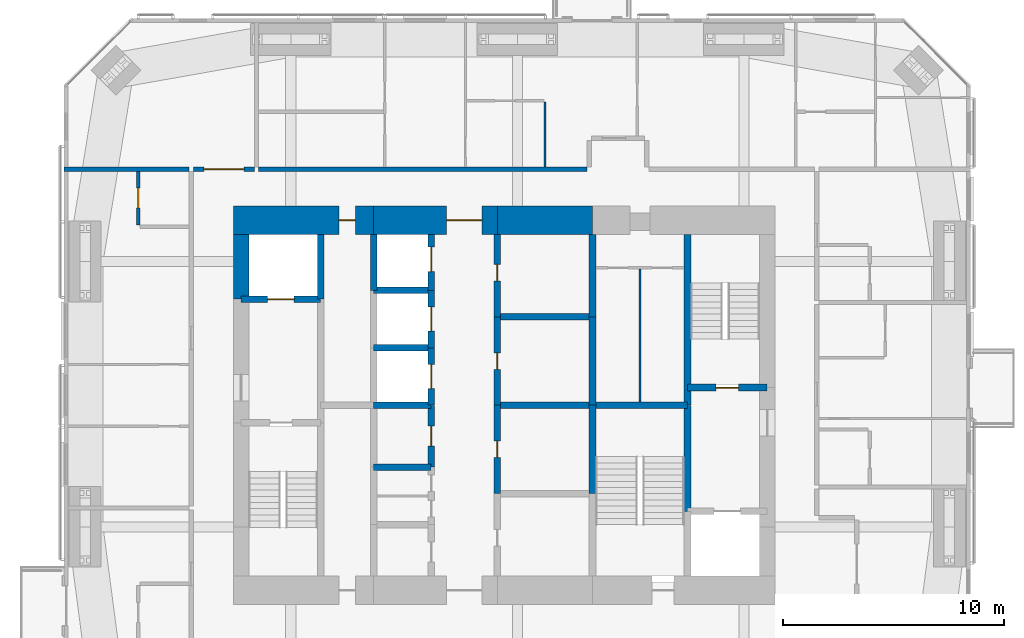
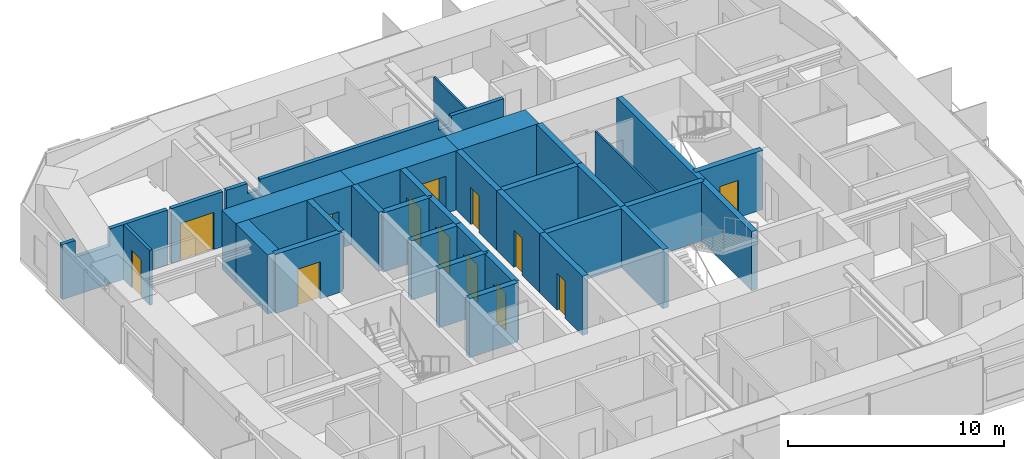
# One storey, part 19 of 23: 33 walls, 13 doors, 13 openings.
"""IFC4 building model written with IfcOpenShell, lengths in metres."""

from ifc_helpers import new_model, si_unit, direction, frame, frame_2d, origin, place, context, subcontext, project, spatial, polyline, rectangle, outline, extrude, material, layer, layer_set, constituent, constituent_set, type_object, element, fill, save


model = new_model("IFC4")

# Units and contexts
model_context = context("Model", 3, precision=1e-05, world=origin(), true_north=direction((0.0, 1.0)))
body_context = subcontext(model_context, "Body", "Model", "MODEL_VIEW")
ifc_project = project(units=[si_unit("LENGTHUNIT", "METRE"), si_unit("AREAUNIT", "SQUARE_METRE"), si_unit("VOLUMEUNIT", "CUBIC_METRE"), si_unit("PLANEANGLEUNIT", "RADIAN"), si_unit("MASSUNIT", "GRAM", prefix="KILO")], contexts=[model_context])

# Site, building, storey
site_placement = place(None, origin())
site = spatial("IfcSite", under=ifc_project, at=site_placement, CompositionType="ELEMENT")
building_placement = place(site_placement, origin())
building = spatial("IfcBuilding", under=site, at=building_placement, Name="Jalousie Tower", CompositionType="ELEMENT")
storey_placement = place(building_placement, frame((0.0, 0.0, 181.14990234375)))
storey = spatial("IfcBuildingStorey", under=building, at=storey_placement, Name="L49", CompositionType="ELEMENT", Elevation=181.14990234375)

# Wall, opening, door
ifc_material_1 = material(Name="Concrete block ASTM C90", Category="concrete")
ifc_constituent_1 = constituent(ifc_material_1, Name="Body")
ifc_material_2 = material(Name="Render")
ifc_constituent_2 = constituent(ifc_material_2, Name="Finish")
ifc_constituent_set_1 = constituent_set(constituents=[ifc_constituent_1, ifc_constituent_2])
wall_type_1 = type_object("IfcWallType", Name="BATHROOM WALL 150", PredefinedType="PLUMBINGWALL", material=ifc_constituent_set_1)
wall_1_placement = place(storey_placement, frame((15.35009765625, 26.64990234375, 0.0), z_axis=(0.0, 0.0, 1.0), x_axis=(0.0, 1.0, 0.0)))
wall_1 = element("IfcWall", 1, at=wall_1_placement, inside=storey, type_object=wall_type_1, Name="Bathroom Wall 150 L49", PredefinedType="PLUMBINGWALL", context=body_context, shape_type="SweptSolid", body=[
    extrude(rectangle(XDim=2.425048828125, YDim=0.14990234375, at=frame_2d((1.21240234375, 0.0))), origin(), (0.0, 0.0, 1.0), 3.110107421875),
])
opening_1_placement = place(wall_1_placement, frame((0.77490234375, 0.0, 0.0)))
opening_1 = element("IfcOpeningElement", 2, at=opening_1_placement, cuts=wall_1, Name="Opening D3", PredefinedType="OPENING", context=body_context, shape_type="SweptSolid", body=[
    extrude(rectangle(XDim=0.89990234375, YDim=2.10009765625, at=frame_2d((0.449951171875, 1.050048828125))), frame((0.0, 0.0849609375, 0.0), z_axis=(0.0, -1.0, 0.0), x_axis=(1.0, 0.0, 0.0)), (0.0, 0.0, 1.0), 0.169921875),
])
ifc_material_3 = material(Name="Timber door", Category="wood")
door_type_1 = type_object("IfcDoorType", Name="BATHROOM DOOR 900", OperationType="SINGLE_SWING_LEFT", PredefinedType="DOOR", material=ifc_material_3)
door_1_placement = place(opening_1_placement, frame((0.89990234375, 0.0, 0.0), z_axis=(0.0, 0.0, 1.0), x_axis=(-1.0, 0.0, 0.0)))
door_1 = element("IfcDoor", 3, at=door_1_placement, inside=storey, type_object=door_type_1, Name="Apartment 4906 bathroom door", OperationType="SINGLE_SWING_LEFT", OverallHeight=2.10009765625, OverallWidth=0.89990234375, PredefinedType="DOOR", context=body_context, shape_type="SweptSolid", body=[
    extrude(rectangle(XDim=0.89990234375, YDim=2.10009765625, at=frame_2d((0.449951171875, 1.050048828125))), frame((0.0, 0.02490234375, 0.0), z_axis=(0.0, -1.0, 0.0), x_axis=(1.0, 0.0, 0.0)), (0.0, 0.0, 1.0), 0.050048828125),
])
fill(opening_1, door_1)

# Wall
ifc_material_4 = material(Name="Concrete f'c 120 MPa", Category="concrete")
ifc_layer_1 = layer(ifc_material_4, 1.300048828125)
ifc_layer_set_1 = layer_set([ifc_layer_1], Name="Concrete f'c 120 MPa")
wall_type_2 = type_object("IfcWallType", Name="CORE WALL 1300", PredefinedType="SHEAR", material=ifc_layer_set_1)
wall_2_placement = place(storey_placement, frame((35.89990234375, 26.875, 0.0), z_axis=(0.0, 0.0, 1.0), x_axis=(-1.0, 0.0, 0.0)))
element("IfcWall", 4, at=wall_2_placement, inside=storey, type_object=wall_type_2, Name="Core wall NB L49", PredefinedType="SHEAR", context=body_context, shape_type="SweptSolid", body=[
    extrude(rectangle(XDim=4.2998046875, YDim=1.300048828125, at=frame_2d((2.14990234375, 0.0))), origin(), (0.0, 0.0, 1.0), 3.35009765625),
])

# Wall, opening, door
wall_3_placement = place(storey_placement, frame((31.60009765625, 26.875, 0.0), z_axis=(0.0, 0.0, 1.0), x_axis=(-1.0, 0.0, 0.0)))
wall_3 = element("IfcWall", 5, at=wall_3_placement, inside=storey, type_object=wall_type_2, Name="Core wall NC L49", PredefinedType="SHEAR", context=body_context, shape_type="SweptSolid", body=[
    extrude(rectangle(XDim=5.60009765625, YDim=1.300048828125, at=frame_2d((2.800048828125, 0.0))), origin(), (0.0, 0.0, 1.0), 3.35009765625),
])
opening_2_placement = place(wall_3_placement, frame((0.699951171875, 0.0, 0.0)))
opening_2 = element("IfcOpeningElement", 6, at=opening_2_placement, cuts=wall_3, Name="Opening D15", PredefinedType="OPENING", context=body_context, shape_type="SweptSolid", body=[
    extrude(rectangle(XDim=1.60009765625, YDim=2.10009765625, at=frame_2d((0.800048828125, 1.050048828125))), frame((0.0, 0.659912109375, 0.0), z_axis=(0.0, -1.0, 0.0), x_axis=(1.0, 0.0, 0.0)), (0.0, 0.0, 1.0), 1.320068359375),
])
ifc_material_5 = material(Name="Steel fire door", Category="steel")
door_type_2 = type_object("IfcDoorType", Name="LIFT LOBBY DOOR 1600", OperationType="DOUBLE_DOOR_SINGLE_SWING", PredefinedType="DOOR", material=ifc_material_5)
door_2_placement = place(opening_2_placement, origin())
door_2 = element("IfcDoor", 7, at=door_2_placement, inside=storey, type_object=door_type_2, Name="Lift lobby north door", OperationType="DOUBLE_DOOR_SINGLE_SWING", OverallHeight=2.10009765625, OverallWidth=1.60009765625, PredefinedType="DOOR", context=body_context, shape_type="SweptSolid", body=[
    extrude(rectangle(XDim=1.60009765625, YDim=2.10009765625, at=frame_2d((0.800048828125, 1.050048828125))), frame((0.0, 0.02490234375, 0.0), z_axis=(0.0, -1.0, 0.0), x_axis=(1.0, 0.0, 0.0)), (0.0, 0.0, 1.0), 0.050048828125),
])
fill(opening_2, door_2)

wall_4_placement = place(storey_placement, frame((26.0, 26.875, 0.0), z_axis=(0.0, 0.0, 1.0), x_axis=(-1.0, 0.0, 0.0)))
wall_4 = element("IfcWall", 8, at=wall_4_placement, inside=storey, type_object=wall_type_2, Name="Core wall ND L49", PredefinedType="SHEAR", context=body_context, shape_type="SweptSolid", body=[
    extrude(rectangle(XDim=6.35009765625, YDim=1.300048828125, at=frame_2d((3.175048828125, 0.0))), origin(), (0.0, 0.0, 1.0), 3.35009765625),
])
opening_3_placement = place(wall_4_placement, frame((0.824951171875, 0.0, 0.0)))
opening_3 = element("IfcOpeningElement", 9, at=opening_3_placement, cuts=wall_4, Name="Opening D16", PredefinedType="OPENING", context=body_context, shape_type="SweptSolid", body=[
    extrude(rectangle(XDim=0.75, YDim=2.10009765625, at=frame_2d((0.375, 1.050048828125))), frame((0.0, 0.659912109375, 0.0), z_axis=(0.0, -1.0, 0.0), x_axis=(1.0, 0.0, 0.0)), (0.0, 0.0, 1.0), 1.320068359375),
])
ifc_material_6 = material(Name="Steel fire door", Category="steel")
door_type_3 = type_object("IfcDoorType", Name="RISER DOOR 750", OperationType="SINGLE_SWING_LEFT", PredefinedType="DOOR", material=ifc_material_6)
door_3_placement = place(opening_3_placement, origin())
door_3 = element("IfcDoor", 10, at=door_3_placement, inside=storey, type_object=door_type_3, Name="North riser door", OperationType="SINGLE_SWING_RIGHT", OverallHeight=2.10009765625, OverallWidth=0.75, PredefinedType="DOOR", context=body_context, shape_type="SweptSolid", body=[
    extrude(rectangle(XDim=0.75, YDim=2.10009765625, at=frame_2d((0.375, 1.050048828125))), frame((0.0, 0.02490234375, 0.0), z_axis=(0.0, -1.0, 0.0), x_axis=(1.0, 0.0, 0.0)), (0.0, 0.0, 1.0), 0.050048828125),
])
fill(opening_3, door_3)

# Walls
ifc_material_7 = material(Name="Concrete f'c 120 MPa", Category="concrete")
ifc_layer_2 = layer(ifc_material_7, 0.300048828125)
ifc_layer_set_2 = layer_set([ifc_layer_2], Name="Concrete f'c 120 MPa")
wall_type_3 = type_object("IfcWallType", Name="CORE WALL 300", PredefinedType="SHEAR", material=ifc_layer_set_2)
wall_5_placement = place(storey_placement, frame((23.60009765625, 23.300048828125, 0.0), z_axis=(0.0, 0.0, 1.0), x_axis=(0.0, 1.0, 0.0)))
element("IfcWall", 11, at=wall_5_placement, inside=storey, type_object=wall_type_3, Name="Core wall X23.6C L49", PredefinedType="SHEAR", context=body_context, shape_type="SweptSolid", body=[
    extrude(rectangle(XDim=2.925048828125, YDim=0.300048828125, at=frame_2d((1.46240234375, 0.0))), origin(), (0.0, 0.0, 1.0), 3.35009765625),
])
wall_6_placement = place(storey_placement, frame((26.0, 23.699951171875, 0.0), z_axis=(0.0, 0.0, 1.0), x_axis=(0.0, 1.0, 0.0)))
element("IfcWall", 12, at=wall_6_placement, inside=storey, type_object=wall_type_3, Name="Core wall X26F L49", PredefinedType="SHEAR", context=body_context, shape_type="SweptSolid", body=[
    extrude(rectangle(XDim=2.525146484375, YDim=0.300048828125, at=frame_2d((1.2626953125, 0.0))), origin(), (0.0, 0.0, 1.0), 3.35009765625),
])

# Wall, opening, door
wall_7_placement = place(storey_placement, frame((28.60009765625, 15.699951171875, 0.0), z_axis=(0.0, 0.0, 1.0), x_axis=(0.0, 1.0, 0.0)))
wall_7 = element("IfcWall", 13, at=wall_7_placement, inside=storey, type_object=wall_type_3, Name="Core wall X28.6C L49", PredefinedType="SHEAR", context=body_context, shape_type="SweptSolid", body=[
    extrude(rectangle(XDim=2.800048828125, YDim=0.300048828125, at=frame_2d((1.39990234375, 0.0))), origin(), (0.0, 0.0, 1.0), 3.35009765625),
])
opening_4_placement = place(wall_7_placement, frame((0.949951171875, 0.0, 0.0)))
opening_4 = element("IfcOpeningElement", 14, at=opening_4_placement, cuts=wall_7, Name="Opening D24", PredefinedType="OPENING", context=body_context, shape_type="SweptSolid", body=[
    extrude(rectangle(XDim=0.89990234375, YDim=2.10009765625, at=frame_2d((0.449951171875, 1.050048828125))), frame((0.0, 0.159912109375, 0.0), z_axis=(0.0, -1.0, 0.0), x_axis=(1.0, 0.0, 0.0)), (0.0, 0.0, 1.0), 0.320068359375),
])
ifc_material_8 = material(Name="Steel fire door", Category="steel")
door_type_4 = type_object("IfcDoorType", Name="CORE ROOM DOOR 900", OperationType="SINGLE_SWING_LEFT", PredefinedType="DOOR", material=ifc_material_8)
door_4_placement = place(opening_4_placement, origin())
door_4 = element("IfcDoor", 15, at=door_4_placement, inside=storey, type_object=door_type_4, Name="Pantry door", OperationType="SINGLE_SWING_LEFT", OverallHeight=2.10009765625, OverallWidth=0.89990234375, PredefinedType="DOOR", context=body_context, shape_type="SweptSolid", body=[
    extrude(rectangle(XDim=0.89990234375, YDim=2.10009765625, at=frame_2d((0.449951171875, 1.050048828125))), frame((0.0, 0.02490234375, 0.0), z_axis=(0.0, -1.0, 0.0), x_axis=(1.0, 0.0, 0.0)), (0.0, 0.0, 1.0), 0.050048828125),
])
fill(opening_4, door_4)

wall_8_placement = place(storey_placement, frame((28.60009765625, 18.5, 0.0), z_axis=(0.0, 0.0, 1.0), x_axis=(0.0, 1.0, 0.0)))
wall_8 = element("IfcWall", 16, at=wall_8_placement, inside=storey, type_object=wall_type_3, Name="Core wall X28.6D L49", PredefinedType="SHEAR", context=body_context, shape_type="SweptSolid", body=[
    extrude(rectangle(XDim=2.60009765625, YDim=0.300048828125, at=frame_2d((1.300048828125, 0.0))), origin(), (0.0, 0.0, 1.0), 3.35009765625),
])
opening_5_placement = place(wall_8_placement, frame((0.75, 0.0, 0.0)))
opening_5 = element("IfcOpeningElement", 17, at=opening_5_placement, cuts=wall_8, Name="Opening LD1", PredefinedType="OPENING", context=body_context, shape_type="SweptSolid", body=[
    extrude(rectangle(XDim=1.10009765625, YDim=2.10009765625, at=frame_2d((0.550048828125, 1.050048828125))), frame((0.0, 0.159912109375, 0.0), z_axis=(0.0, -1.0, 0.0), x_axis=(1.0, 0.0, 0.0)), (0.0, 0.0, 1.0), 0.320068359375),
])
ifc_material_9 = material(Name="Steel lift landing door", Category="steel")
door_type_5 = type_object("IfcDoorType", Name="LIFT LANDING DOOR 1100", OperationType="SLIDING_TO_LEFT", PredefinedType="DOOR", material=ifc_material_9)
door_5_placement = place(opening_5_placement, origin())
door_5 = element("IfcDoor", 18, at=door_5_placement, inside=storey, type_object=door_type_5, Name="Lift P4 landing door", OperationType="SLIDING_TO_LEFT", OverallHeight=2.10009765625, OverallWidth=1.10009765625, PredefinedType="DOOR", context=body_context, shape_type="SweptSolid", body=[
    extrude(rectangle(XDim=1.10009765625, YDim=2.10009765625, at=frame_2d((0.550048828125, 1.050048828125))), frame((0.0, 0.02490234375, 0.0), z_axis=(0.0, -1.0, 0.0), x_axis=(1.0, 0.0, 0.0)), (0.0, 0.0, 1.0), 0.050048828125),
])
fill(opening_5, door_5)

wall_9_placement = place(storey_placement, frame((28.60009765625, 21.10009765625, 0.0), z_axis=(0.0, 0.0, 1.0), x_axis=(0.0, 1.0, 0.0)))
wall_9 = element("IfcWall", 19, at=wall_9_placement, inside=storey, type_object=wall_type_3, Name="Core wall X28.6E L49", PredefinedType="SHEAR", context=body_context, shape_type="SweptSolid", body=[
    extrude(rectangle(XDim=2.599853515625, YDim=0.300048828125, at=frame_2d((1.2998046875, 0.0))), origin(), (0.0, 0.0, 1.0), 3.35009765625),
])
opening_6_placement = place(wall_9_placement, frame((0.75, 0.0, 0.0)))
opening_6 = element("IfcOpeningElement", 20, at=opening_6_placement, cuts=wall_9, Name="Opening LD1", PredefinedType="OPENING", context=body_context, shape_type="SweptSolid", body=[
    extrude(rectangle(XDim=1.10009765625, YDim=2.10009765625, at=frame_2d((0.550048828125, 1.050048828125))), frame((0.0, 0.159912109375, 0.0), z_axis=(0.0, -1.0, 0.0), x_axis=(1.0, 0.0, 0.0)), (0.0, 0.0, 1.0), 0.320068359375),
])
door_6_placement = place(opening_6_placement, origin())
door_6 = element("IfcDoor", 21, at=door_6_placement, inside=storey, type_object=door_type_5, Name="Lift P5 landing door", OperationType="SLIDING_TO_LEFT", OverallHeight=2.10009765625, OverallWidth=1.10009765625, PredefinedType="DOOR", context=body_context, shape_type="SweptSolid", body=[
    extrude(rectangle(XDim=1.10009765625, YDim=2.10009765625, at=frame_2d((0.550048828125, 1.050048828125))), frame((0.0, 0.02490234375, 0.0), z_axis=(0.0, -1.0, 0.0), x_axis=(1.0, 0.0, 0.0)), (0.0, 0.0, 1.0), 0.050048828125),
])
fill(opening_6, door_6)

wall_10_placement = place(storey_placement, frame((28.60009765625, 23.699951171875, 0.0), z_axis=(0.0, 0.0, 1.0), x_axis=(0.0, 1.0, 0.0)))
wall_10 = element("IfcWall", 22, at=wall_10_placement, inside=storey, type_object=wall_type_3, Name="Core wall X28.6F L49", PredefinedType="SHEAR", context=body_context, shape_type="SweptSolid", body=[
    extrude(rectangle(XDim=2.525146484375, YDim=0.300048828125, at=frame_2d((1.2626953125, 0.0))), origin(), (0.0, 0.0, 1.0), 3.35009765625),
])
opening_7_placement = place(wall_10_placement, frame((0.85009765625, 0.0, 0.0)))
opening_7 = element("IfcOpeningElement", 23, at=opening_7_placement, cuts=wall_10, Name="Opening LD1", PredefinedType="OPENING", context=body_context, shape_type="SweptSolid", body=[
    extrude(rectangle(XDim=1.10009765625, YDim=2.10009765625, at=frame_2d((0.550048828125, 1.050048828125))), frame((0.0, 0.159912109375, 0.0), z_axis=(0.0, -1.0, 0.0), x_axis=(1.0, 0.0, 0.0)), (0.0, 0.0, 1.0), 0.320068359375),
])
door_7_placement = place(opening_7_placement, origin())
door_7 = element("IfcDoor", 24, at=door_7_placement, inside=storey, type_object=door_type_5, Name="Lift P6 landing door", OperationType="SLIDING_TO_LEFT", OverallHeight=2.10009765625, OverallWidth=1.10009765625, PredefinedType="DOOR", context=body_context, shape_type="SweptSolid", body=[
    extrude(rectangle(XDim=1.10009765625, YDim=2.10009765625, at=frame_2d((0.550048828125, 1.050048828125))), frame((0.0, 0.02490234375, 0.0), z_axis=(0.0, -1.0, 0.0), x_axis=(1.0, 0.0, 0.0)), (0.0, 0.0, 1.0), 0.050048828125),
])
fill(opening_7, door_7)

wall_11_placement = place(storey_placement, frame((31.60009765625, 14.5, 0.0), z_axis=(0.0, 0.0, 1.0), x_axis=(0.0, 1.0, 0.0)))
wall_11 = element("IfcWall", 25, at=wall_11_placement, inside=storey, type_object=wall_type_3, Name="Core wall X31.6B L49", PredefinedType="SHEAR", context=body_context, shape_type="SweptSolid", body=[
    extrude(rectangle(XDim=4.0, YDim=0.300048828125, at=frame_2d((2.0, 0.0))), origin(), (0.0, 0.0, 1.0), 3.35009765625),
])
opening_8_placement = place(wall_11_placement, frame((1.625, 0.0, 0.0)))
opening_8 = element("IfcOpeningElement", 26, at=opening_8_placement, cuts=wall_11, Name="Opening D16", PredefinedType="OPENING", context=body_context, shape_type="SweptSolid", body=[
    extrude(rectangle(XDim=0.75, YDim=2.10009765625, at=frame_2d((0.375, 1.050048828125))), frame((0.0, 0.159912109375, 0.0), z_axis=(0.0, -1.0, 0.0), x_axis=(1.0, 0.0, 0.0)), (0.0, 0.0, 1.0), 0.320068359375),
])
door_8_placement = place(opening_8_placement, frame((0.75, 0.0, 0.0), z_axis=(0.0, 0.0, 1.0), x_axis=(-1.0, 0.0, 0.0)))
door_8 = element("IfcDoor", 27, at=door_8_placement, inside=storey, type_object=door_type_3, Name="Electrical Room door", OperationType="SINGLE_SWING_RIGHT", OverallHeight=2.10009765625, OverallWidth=0.75, PredefinedType="DOOR", context=body_context, shape_type="SweptSolid", body=[
    extrude(rectangle(XDim=0.75, YDim=2.10009765625, at=frame_2d((0.375, 1.050048828125))), frame((0.0, 0.02490234375, 0.0), z_axis=(0.0, -1.0, 0.0), x_axis=(1.0, 0.0, 0.0)), (0.0, 0.0, 1.0), 0.050048828125),
])
fill(opening_8, door_8)

wall_12_placement = place(storey_placement, frame((31.60009765625, 18.5, 0.0), z_axis=(0.0, 0.0, 1.0), x_axis=(0.0, 1.0, 0.0)))
wall_12 = element("IfcWall", 28, at=wall_12_placement, inside=storey, type_object=wall_type_3, Name="Core wall X31.6C L49", PredefinedType="SHEAR", context=body_context, shape_type="SweptSolid", body=[
    extrude(rectangle(XDim=4.0, YDim=0.300048828125, at=frame_2d((2.0, 0.0))), origin(), (0.0, 0.0, 1.0), 3.35009765625),
])
opening_9_placement = place(wall_12_placement, frame((1.625, 0.0, 0.0)))
opening_9 = element("IfcOpeningElement", 29, at=opening_9_placement, cuts=wall_12, Name="Opening D16", PredefinedType="OPENING", context=body_context, shape_type="SweptSolid", body=[
    extrude(rectangle(XDim=0.75, YDim=2.10009765625, at=frame_2d((0.375, 1.050048828125))), frame((0.0, 0.159912109375, 0.0), z_axis=(0.0, -1.0, 0.0), x_axis=(1.0, 0.0, 0.0)), (0.0, 0.0, 1.0), 0.320068359375),
])
door_9_placement = place(opening_9_placement, frame((0.75, 0.0, 0.0), z_axis=(0.0, 0.0, 1.0), x_axis=(-1.0, 0.0, 0.0)))
door_9 = element("IfcDoor", 30, at=door_9_placement, inside=storey, type_object=door_type_3, Name="Telecom Room door", OperationType="SINGLE_SWING_RIGHT", OverallHeight=2.10009765625, OverallWidth=0.75, PredefinedType="DOOR", context=body_context, shape_type="SweptSolid", body=[
    extrude(rectangle(XDim=0.75, YDim=2.10009765625, at=frame_2d((0.375, 1.050048828125))), frame((0.0, 0.02490234375, 0.0), z_axis=(0.0, -1.0, 0.0), x_axis=(1.0, 0.0, 0.0)), (0.0, 0.0, 1.0), 0.050048828125),
])
fill(opening_9, door_9)

wall_13_placement = place(storey_placement, frame((31.60009765625, 22.5, 0.0), z_axis=(0.0, 0.0, 1.0), x_axis=(0.0, 1.0, 0.0)))
wall_13 = element("IfcWall", 31, at=wall_13_placement, inside=storey, type_object=wall_type_3, Name="Core wall X31.6D L49", PredefinedType="SHEAR", context=body_context, shape_type="SweptSolid", body=[
    extrude(rectangle(XDim=3.72509765625, YDim=0.300048828125, at=frame_2d((1.862548828125, 0.0))), origin(), (0.0, 0.0, 1.0), 3.35009765625),
])
opening_10_placement = place(wall_13_placement, frame((1.625, 0.0, 0.0)))
opening_10 = element("IfcOpeningElement", 32, at=opening_10_placement, cuts=wall_13, Name="Opening D16", PredefinedType="OPENING", context=body_context, shape_type="SweptSolid", body=[
    extrude(rectangle(XDim=0.75, YDim=2.10009765625, at=frame_2d((0.375, 1.050048828125))), frame((0.0, 0.159912109375, 0.0), z_axis=(0.0, -1.0, 0.0), x_axis=(1.0, 0.0, 0.0)), (0.0, 0.0, 1.0), 0.320068359375),
])
door_10_placement = place(opening_10_placement, frame((0.75, 0.0, 0.0), z_axis=(0.0, 0.0, 1.0), x_axis=(-1.0, 0.0, 0.0)))
door_10 = element("IfcDoor", 33, at=door_10_placement, inside=storey, type_object=door_type_3, Name="Water Services Room door", OperationType="SINGLE_SWING_LEFT", OverallHeight=2.10009765625, OverallWidth=0.75, PredefinedType="DOOR", context=body_context, shape_type="SweptSolid", body=[
    extrude(rectangle(XDim=0.75, YDim=2.10009765625, at=frame_2d((0.375, 1.050048828125))), frame((0.0, 0.02490234375, 0.0), z_axis=(0.0, -1.0, 0.0), x_axis=(1.0, 0.0, 0.0)), (0.0, 0.0, 1.0), 0.050048828125),
])
fill(opening_10, door_10)

# Walls
for number, where, z_axis, x_axis, name in (
    (34, (35.89990234375, 14.5, 0.0), (0.0, 0.0, 1.0), (0.0, 1.0, 0.0), "Core wall X35.9B L49"),
    (35, (35.89990234375, 18.5, 0.0), (0.0, 0.0, 1.0), (0.0, 1.0, 0.0), "Core wall X35.9C L49"),
):
    element("IfcWall", number, at=place(storey_placement, frame(where, z_axis=z_axis, x_axis=x_axis)), inside=storey, type_object=wall_type_3, Name=name, PredefinedType="SHEAR", context=body_context, shape_type="SweptSolid", body=[
        extrude(rectangle(XDim=4.0, YDim=0.300048828125, at=frame_2d((2.0, 0.0))), origin(), (0.0, 0.0, 1.0), 3.35009765625),
    ])
wall_14_placement = place(storey_placement, frame((35.89990234375, 22.5, 0.0), z_axis=(0.0, 0.0, 1.0), x_axis=(0.0, 1.0, 0.0)))
element("IfcWall", 36, at=wall_14_placement, inside=storey, type_object=wall_type_3, Name="Core wall X35.9D L49", PredefinedType="SHEAR", context=body_context, shape_type="SweptSolid", body=[
    extrude(rectangle(XDim=3.72509765625, YDim=0.300048828125, at=frame_2d((1.862548828125, 0.0))), origin(), (0.0, 0.0, 1.0), 3.35009765625),
])
wall_15_placement = place(storey_placement, frame((40.199951171875, 13.699951171875, 0.0), z_axis=(0.0, 0.0, 1.0), x_axis=(0.0, 1.0, 0.0)))
element("IfcWall", 37, at=wall_15_placement, inside=storey, type_object=wall_type_3, Name="Core wall X40.2B L49", PredefinedType="SHEAR", context=body_context, shape_type="SweptSolid", body=[
    extrude(rectangle(XDim=4.800048828125, YDim=0.300048828125, at=frame_2d((2.39990234375, 0.0))), origin(), (0.0, 0.0, 1.0), 3.35009765625),
])
wall_16_placement = place(storey_placement, frame((40.199951171875, 18.5, 0.0), z_axis=(0.0, 0.0, 1.0), x_axis=(0.0, 1.0, 0.0)))
element("IfcWall", 38, at=wall_16_placement, inside=storey, type_object=wall_type_3, Name="Core wall X40.2C L49", PredefinedType="SHEAR", context=body_context, shape_type="SweptSolid", body=[
    extrude(rectangle(XDim=7.72509765625, YDim=0.300048828125, at=frame_2d((3.862548828125, 0.0))), origin(), (0.0, 0.0, 1.0), 3.35009765625),
])

# Wall, opening, door
wall_17_placement = place(storey_placement, frame((20.0, 23.300048828125, 0.0), z_axis=(0.0, 0.0, 1.0), x_axis=(1.0, 0.0, 0.0)))
wall_17 = element("IfcWall", 39, at=wall_17_placement, inside=storey, type_object=wall_type_3, Name="Core wall Y20-23.3 L49", PredefinedType="SHEAR", context=body_context, shape_type="SweptSolid", body=[
    extrude(rectangle(XDim=3.60009765625, YDim=0.300048828125, at=frame_2d((1.800048828125, 0.0))), origin(), (0.0, 0.0, 1.0), 3.35009765625),
])
opening_11_placement = place(wall_17_placement, frame((1.199951171875, 0.0, 0.0)))
opening_11 = element("IfcOpeningElement", 40, at=opening_11_placement, cuts=wall_17, Name="Opening LD2", PredefinedType="OPENING", context=body_context, shape_type="SweptSolid", body=[
    extrude(rectangle(XDim=1.199951171875, YDim=2.10009765625, at=frame_2d((0.60009765625, 1.050048828125))), frame((0.0, 0.159912109375, 0.0), z_axis=(0.0, -1.0, 0.0), x_axis=(1.0, 0.0, 0.0)), (0.0, 0.0, 1.0), 0.320068359375),
])
ifc_material_10 = material(Name="Steel lift landing door", Category="steel")
door_type_6 = type_object("IfcDoorType", Name="LIFT LANDING DOOR 1200", OperationType="SLIDING_TO_LEFT", PredefinedType="DOOR", material=ifc_material_10)
door_11_placement = place(opening_11_placement, origin())
door_11 = element("IfcDoor", 41, at=door_11_placement, inside=storey, type_object=door_type_6, Name="Lift F1 landing door", OperationType="SLIDING_TO_LEFT", OverallHeight=2.10009765625, OverallWidth=1.199951171875, PredefinedType="DOOR", context=body_context, shape_type="SweptSolid", body=[
    extrude(rectangle(XDim=1.199951171875, YDim=2.10009765625, at=frame_2d((0.60009765625, 1.050048828125))), frame((0.0, 0.02490234375, 0.0), z_axis=(0.0, -1.0, 0.0), x_axis=(1.0, 0.0, 0.0)), (0.0, 0.0, 1.0), 0.050048828125),
])
fill(opening_11, door_11)

# Walls
for number, where, z_axis, x_axis, name in (
    (42, (26.0, 15.699951171875, 0.0), (0.0, 0.0, 1.0), (1.0, 0.0, 0.0), "Core wall Y26-15.7 L49"),
    (43, (26.0, 18.5, 0.0), (0.0, 0.0, 1.0), (1.0, 0.0, 0.0), "Core wall Y26-18.5 L49"),
    (44, (26.0, 21.10009765625, 0.0), (0.0, 0.0, 1.0), (1.0, 0.0, 0.0), "Core wall Y26-21.1 L49"),
    (45, (26.0, 23.699951171875, 0.0), (0.0, 0.0, 1.0), (1.0, 0.0, 0.0), "Core wall Y26-23.7 L49"),
):
    element("IfcWall", number, at=place(storey_placement, frame(where, z_axis=z_axis, x_axis=x_axis)), inside=storey, type_object=wall_type_3, Name=name, PredefinedType="SHEAR", context=body_context, shape_type="SweptSolid", body=[
        extrude(rectangle(XDim=2.60009765625, YDim=0.300048828125, at=frame_2d((1.300048828125, 0.0))), origin(), (0.0, 0.0, 1.0), 3.35009765625),
    ])
for number, where, z_axis, x_axis, name in (
    (46, (31.60009765625, 18.5, 0.0), (0.0, 0.0, 1.0), (1.0, 0.0, 0.0), "Core wall Y31.6-18.5 L49"),
    (47, (31.60009765625, 22.5, 0.0), (0.0, 0.0, 1.0), (1.0, 0.0, 0.0), "Core wall Y31.6-22.5 L49"),
):
    element("IfcWall", number, at=place(storey_placement, frame(where, z_axis=z_axis, x_axis=x_axis)), inside=storey, type_object=wall_type_3, Name=name, PredefinedType="SHEAR", context=body_context, shape_type="SweptSolid", body=[
        extrude(rectangle(XDim=4.2998046875, YDim=0.300048828125, at=frame_2d((2.14990234375, 0.0))), origin(), (0.0, 0.0, 1.0), 3.35009765625),
    ])
wall_18_placement = place(storey_placement, frame((35.89990234375, 18.5, 0.0), z_axis=(0.0, 0.0, 1.0), x_axis=(1.0, 0.0, 0.0)))
element("IfcWall", 48, at=wall_18_placement, inside=storey, type_object=wall_type_3, Name="Core wall Y35.9-18.5 L49", PredefinedType="SHEAR", context=body_context, shape_type="SweptSolid", body=[
    extrude(rectangle(XDim=4.300048828125, YDim=0.300048828125, at=frame_2d((2.14990234375, 0.0))), origin(), (0.0, 0.0, 1.0), 3.35009765625),
])

# Wall, opening, door
wall_19_placement = place(storey_placement, frame((40.199951171875, 19.300048828125, 0.0), z_axis=(0.0, 0.0, 1.0), x_axis=(1.0, 0.0, 0.0)))
wall_19 = element("IfcWall", 49, at=wall_19_placement, inside=storey, type_object=wall_type_3, Name="Core wall Y40.2-19.3 L49", PredefinedType="SHEAR", context=body_context, shape_type="SweptSolid", body=[
    extrude(rectangle(XDim=3.60009765625, YDim=0.300048828125, at=frame_2d((1.800048828125, 0.0))), origin(), (0.0, 0.0, 1.0), 3.35009765625),
])
opening_12_placement = place(wall_19_placement, frame((1.300048828125, 0.0, 0.0)))
opening_12 = element("IfcOpeningElement", 50, at=opening_12_placement, cuts=wall_19, Name="Opening D10", PredefinedType="OPENING", context=body_context, shape_type="SweptSolid", body=[
    extrude(rectangle(XDim=1.0, YDim=2.10009765625, at=frame_2d((0.5, 1.050048828125))), frame((0.0, 0.159912109375, 0.0), z_axis=(0.0, -1.0, 0.0), x_axis=(1.0, 0.0, 0.0)), (0.0, 0.0, 1.0), 0.320068359375),
])
ifc_material_11 = material(Name="Steel fire door", Category="steel")
door_type_7 = type_object("IfcDoorType", Name="STAIR DOOR 1000", OperationType="SINGLE_SWING_LEFT", PredefinedType="DOOR", material=ifc_material_11)
door_12_placement = place(opening_12_placement, origin())
door_12 = element("IfcDoor", 51, at=door_12_placement, inside=storey, type_object=door_type_7, Name="Exit stair B door", OperationType="SINGLE_SWING_RIGHT", OverallHeight=2.10009765625, OverallWidth=1.0, PredefinedType="DOOR", context=body_context, shape_type="SweptSolid", body=[
    extrude(rectangle(XDim=1.0, YDim=2.10009765625, at=frame_2d((0.5, 1.050048828125))), frame((0.0, 0.02490234375, 0.0), z_axis=(0.0, -1.0, 0.0), x_axis=(1.0, 0.0, 0.0)), (0.0, 0.0, 1.0), 0.050048828125),
])
fill(opening_12, door_12)

# Wall
ifc_material_12 = material(Name="Concrete f'c 120 MPa", Category="concrete")
ifc_layer_3 = layer(ifc_material_12, 0.699951171875)
ifc_layer_set_3 = layer_set([ifc_layer_3], Name="Concrete f'c 120 MPa")
wall_type_4 = type_object("IfcWallType", Name="CORE WALL 700", PredefinedType="SHEAR", material=ifc_layer_set_3)
wall_20_placement = place(storey_placement, frame((20.0, 26.22509765625, 0.0), z_axis=(0.0, 0.0, 1.0), x_axis=(0.0, -1.0, 0.0)))
element("IfcWall", 52, at=wall_20_placement, inside=storey, type_object=wall_type_4, Name="Core wall WA L49", PredefinedType="SHEAR", context=body_context, shape_type="SweptSolid", body=[
    extrude(rectangle(XDim=2.925048828125, YDim=0.699951171875, at=frame_2d((1.46240234375, 0.0))), origin(), (0.0, 0.0, 1.0), 3.35009765625),
])

# Wall, opening, door
ifc_material_13 = material(Name="Concrete block ASTM C90", Category="concrete")
ifc_constituent_3 = constituent(ifc_material_13, Name="Body")
ifc_material_14 = material(Name="Render")
ifc_constituent_4 = constituent(ifc_material_14, Name="Finish")
ifc_constituent_set_2 = constituent_set(constituents=[ifc_constituent_3, ifc_constituent_4])
wall_type_5 = type_object("IfcWallType", Name="CORRIDOR WALL 200", PredefinedType="PARTITIONING", material=ifc_constituent_set_2)
wall_21_placement = place(storey_placement, frame((17.85009765625, 29.175048828125, 0.0), z_axis=(0.0, 0.0, 1.0), x_axis=(1.0, 0.0, 0.0)))
wall_21 = element("IfcWall", 53, at=wall_21_placement, inside=storey, type_object=wall_type_5, Name="Corridor Wall 200 L49", PredefinedType="PARTITIONING", context=body_context, shape_type="SweptSolid", body=[
    extrude(rectangle(XDim=2.75, YDim=0.199951171875, at=frame_2d((1.375, 0.0))), origin(), (0.0, 0.0, 1.0), 3.110107421875),
])
opening_13_placement = place(wall_21_placement, frame((0.47509765625, 0.0, 0.0)))
opening_13 = element("IfcOpeningElement", 54, at=opening_13_placement, cuts=wall_21, Name="Opening D22", PredefinedType="OPENING", context=body_context, shape_type="SweptSolid", body=[
    extrude(rectangle(XDim=1.800048828125, YDim=2.10009765625, at=frame_2d((0.89990234375, 1.050048828125))), frame((0.0, 0.10986328125, 0.0), z_axis=(0.0, -1.0, 0.0), x_axis=(1.0, 0.0, 0.0)), (0.0, 0.0, 1.0), 0.219970703125),
])
ifc_material_15 = material(Name="Timber fire door", Category="wood")
door_type_8 = type_object("IfcDoorType", Name="CORRIDOR DOUBLE DOOR 1800", OperationType="DOUBLE_DOOR_SINGLE_SWING", PredefinedType="DOOR", material=ifc_material_15)
door_13_placement = place(opening_13_placement, origin())
door_13 = element("IfcDoor", 55, at=door_13_placement, inside=storey, type_object=door_type_8, Name="Residents' lounge door", OperationType="DOUBLE_DOOR_SINGLE_SWING", OverallHeight=2.10009765625, OverallWidth=1.800048828125, PredefinedType="DOOR", context=body_context, shape_type="SweptSolid", body=[
    extrude(rectangle(XDim=1.800048828125, YDim=2.10009765625, at=frame_2d((0.89990234375, 1.050048828125))), frame((0.0, 0.02490234375, 0.0), z_axis=(0.0, -1.0, 0.0), x_axis=(1.0, 0.0, 0.0)), (0.0, 0.0, 1.0), 0.050048828125),
])
fill(opening_13, door_13)

# Walls
wall_22_placement = place(storey_placement, frame((20.800048828125, 29.175048828125, 0.0), z_axis=(0.0, 0.0, 1.0), x_axis=(1.0, 0.0, 0.0)))
element("IfcWall", 56, at=wall_22_placement, inside=storey, type_object=wall_type_5, Name="Corridor Wall 200 L49", PredefinedType="PARTITIONING", context=body_context, shape_type="SweptSolid", body=[
    extrude(outline(polyline([(0.0, 0.0), (14.849853515625, 0.0), (14.85009765625, 3.110107421875), (12.037353515625, 3.110107421875), (12.037353515625, 2.541015625), (11.362548828125, 2.541015625), (11.362548828125, 3.110107421875), (1.787353515625, 3.110107421875), (1.787353515625, 2.541015625), (1.112548828125, 2.541015625), (1.112548828125, 3.110107421875), (0.0, 3.110107421875), (0.0, 0.0)])), frame((0.0, 0.10009765625, 0.0), z_axis=(0.0, -1.0, 0.0), x_axis=(1.0, 0.0, 0.0)), (0.0, 0.0, 1.0), 0.199951171875),
])
ifc_material_16 = material(Name="Gypsum board", Category="gypsum")
ifc_constituent_5 = constituent(ifc_material_16, Name="Body")
ifc_material_17 = material(Name="Light-gauge steel studs ASTM A653 SS Grade 33", Category="steel")
ifc_constituent_6 = constituent(ifc_material_17, Name="Framing")
ifc_constituent_set_3 = constituent_set(constituents=[ifc_constituent_5, ifc_constituent_6])
wall_type_6 = type_object("IfcWallType", Name="PARTITION 100", PredefinedType="PARTITIONING", material=ifc_constituent_set_3)
wall_23_placement = place(storey_placement, frame((33.75, 32.22509765625, 0.0), z_axis=(0.0, 0.0, 1.0), x_axis=(0.0, -1.0, 0.0)))
element("IfcWall", 57, at=wall_23_placement, inside=storey, type_object=wall_type_6, Name="Partition 100 L49", PredefinedType="PARTITIONING", context=body_context, shape_type="SweptSolid", body=[
    extrude(rectangle(XDim=2.9501953125, YDim=0.10009765625, at=frame_2d((1.47509765625, 0.0))), origin(), (0.0, 0.0, 1.0), 3.110107421875),
])
wall_24_placement = place(storey_placement, frame((38.050048828125, 18.64990234375, 0.0), z_axis=(0.0, 0.0, 1.0), x_axis=(0.0, 1.0, 0.0)))
element("IfcWall", 58, at=wall_24_placement, inside=storey, type_object=wall_type_6, Name="Partition 100 L49", PredefinedType="PARTITIONING", context=body_context, shape_type="SweptSolid", body=[
    extrude(rectangle(XDim=6.025146484375, YDim=0.10009765625, at=frame_2d((3.0126953125, 0.0))), origin(), (0.0, 0.0, 1.0), 3.110107421875),
])
ifc_material_18 = material(Name="Concrete block ASTM C90", Category="concrete")
ifc_constituent_7 = constituent(ifc_material_18, Name="Body")
ifc_material_19 = material(Name="Render")
ifc_constituent_8 = constituent(ifc_material_19, Name="Finish")
ifc_constituent_set_4 = constituent_set(constituents=[ifc_constituent_7, ifc_constituent_8])
wall_type_7 = type_object("IfcWallType", Name="PARTY WALL 200", PredefinedType="PARTITIONING", material=ifc_constituent_set_4)
wall_25_placement = place(storey_placement, frame((12.0, 29.175048828125, 0.0), z_axis=(0.0, 0.0, 1.0), x_axis=(1.0, 0.0, 0.0)))
element("IfcWall", 59, at=wall_25_placement, inside=storey, type_object=wall_type_7, Name="Party Wall 200 L49", PredefinedType="PARTITIONING", context=body_context, shape_type="SweptSolid", body=[
    extrude(outline(polyline([(0.0, 0.0), (5.64990234375, 0.0), (5.64990234375, 3.110107421875), (2.546630859375, 3.110107421875), (2.546630859375, 2.150146484375), (0.703125, 2.150146484375), (0.703125, 3.110107421875), (0.0, 3.110107421875), (0.0, 0.0)])), frame((0.0, 0.10009765625, 0.0), z_axis=(0.0, -1.0, 0.0), x_axis=(1.0, 0.0, 0.0)), (0.0, 0.0, 1.0), 0.199951171875),
])

save(model, "model.ifc")
